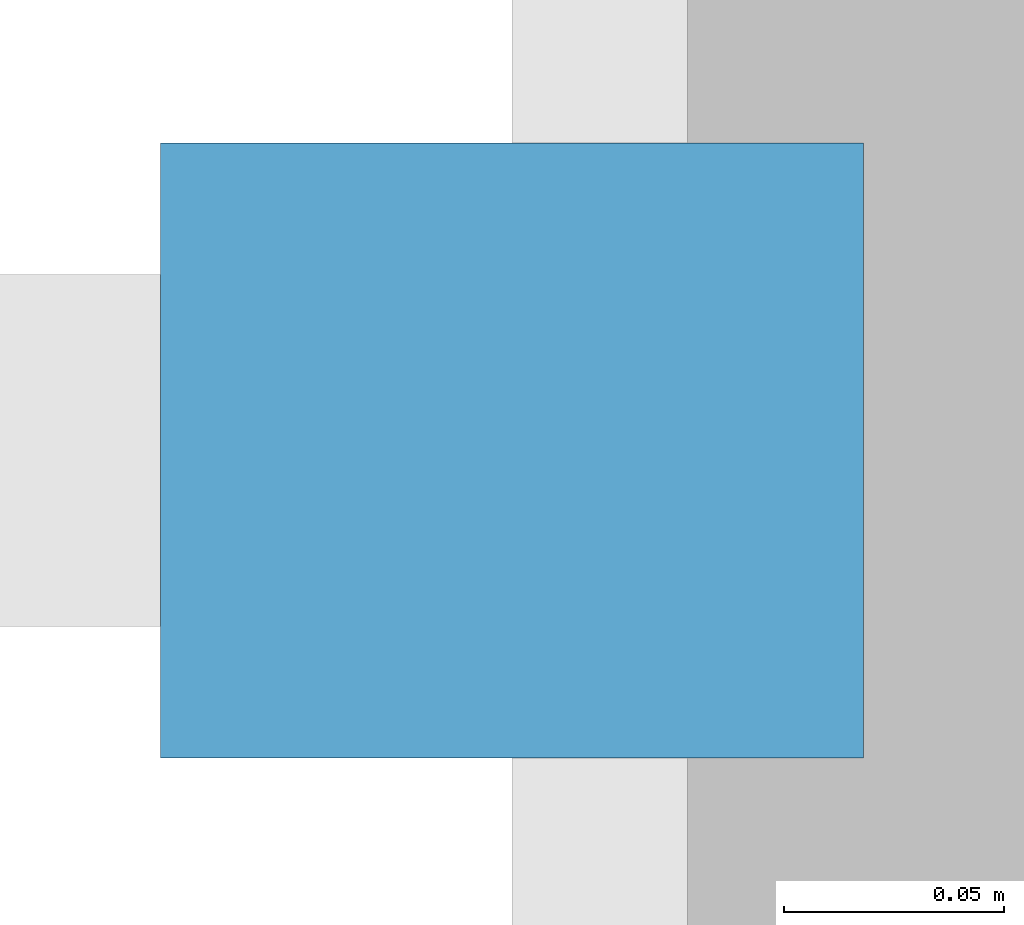
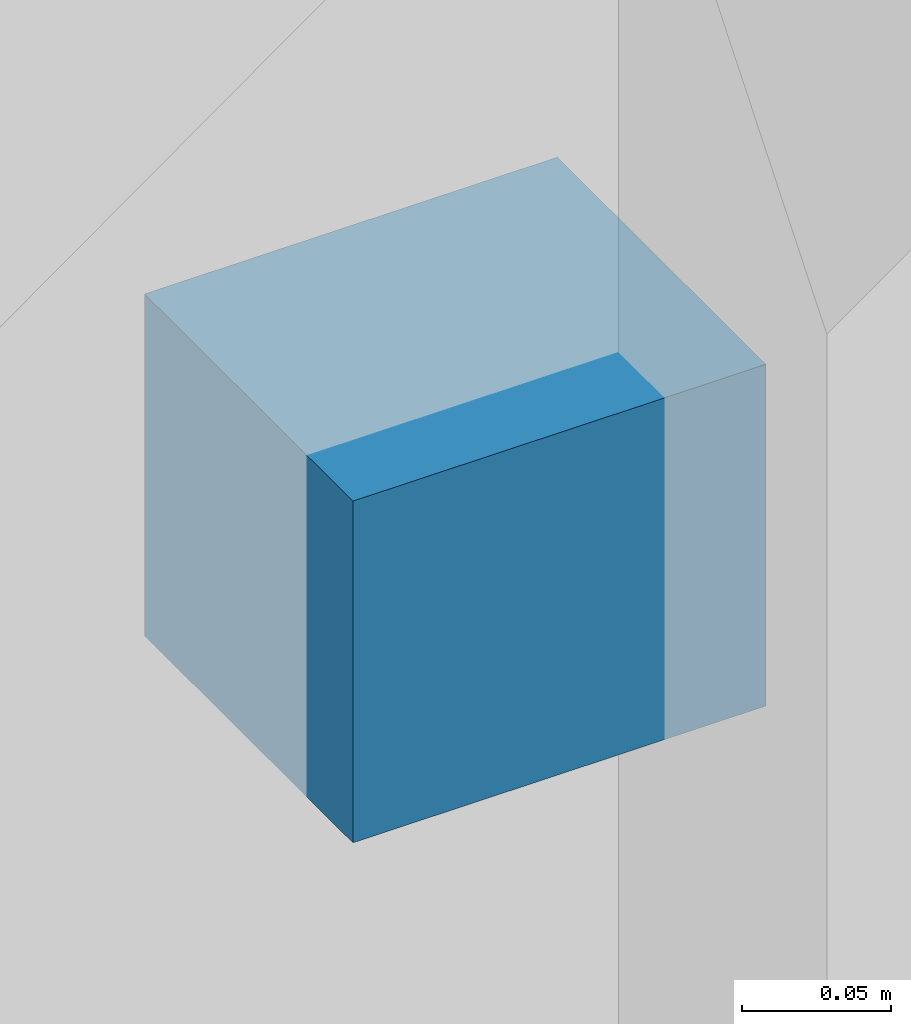
# One storey, part 102 of 126: 1 discrete accessory.
"""IFC4 building model written with IfcOpenShell, lengths in metres."""

from ifc_helpers import new_model, si_unit, direction, frame, origin, origin_2d, place, context, subcontext, project, spatial, rectangle, extrude, material, type_object, element, save


model = new_model("IFC4")

# Units and contexts
model_context = context("Model", 3, precision=1e-05, world=origin(), true_north=direction((0.0, 1.0)))
body_context = subcontext(model_context, "Body", "Model", "MODEL_VIEW")
ifc_project = project(units=[si_unit("LENGTHUNIT", "METRE"), si_unit("AREAUNIT", "SQUARE_METRE"), si_unit("VOLUMEUNIT", "CUBIC_METRE"), si_unit("PLANEANGLEUNIT", "RADIAN"), si_unit("MASSUNIT", "GRAM", prefix="KILO")], contexts=[model_context])

# Site, building, storey
site_placement = place(None, origin())
site = spatial("IfcSite", under=ifc_project, at=site_placement, CompositionType="ELEMENT")
building_placement = place(site_placement, origin())
building = spatial("IfcBuilding", under=site, at=building_placement, Name="Khelvaren Railside Concert Hall", CompositionType="ELEMENT")
storey_placement = place(building_placement, origin())
storey = spatial("IfcBuildingStorey", under=building, at=storey_placement, Name="L00", CompositionType="ELEMENT", Elevation=0.0)

# Discrete accessory
ifc_material = material(Name="Architectural stainless steel Grade 316", Category="steel")
discrete_accessory_type = type_object("IfcDiscreteAccessoryType", Name="BRK87", PredefinedType="BRACKET", material=ifc_material)
discrete_accessory_placement = place(storey_placement, frame((-0.199951171875, 42.717529296875, 1.705078125), z_axis=(0.0, 0.0, 1.0), x_axis=(0.0, 1.0, 0.0)))
element("IfcDiscreteAccessory", 1, at=discrete_accessory_placement, inside=storey, type_object=discrete_accessory_type, Name="Solar Fin Bracket EW-V1-L00-W-38", PredefinedType="BRACKET", context=body_context, shape_type="SweptSolid", body=[
    extrude(rectangle(XDim=0.139892578125, YDim=0.159912109375, at=origin_2d()), origin(), (0.0, 0.0, 1.0), 0.139892578125),
])

save(model, "model.ifc")
